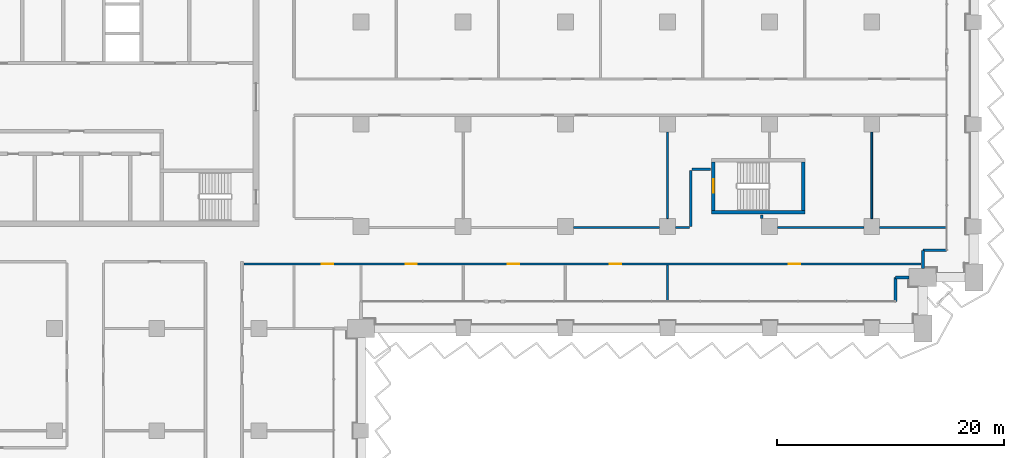
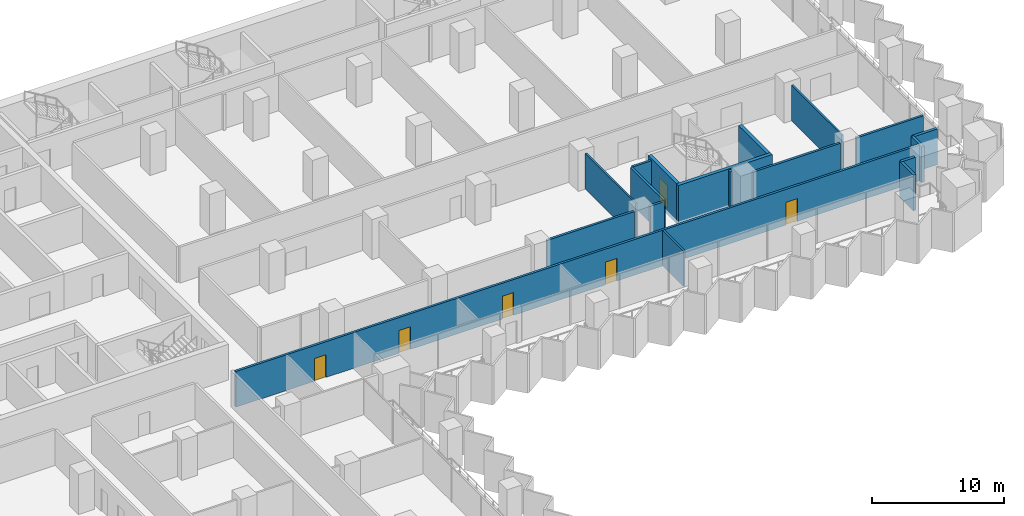
# One storey, part 13 of 29: 18 walls, 6 doors, 6 openings.
"""IFC4 building model written with IfcOpenShell, lengths in metres."""

from ifc_helpers import new_model, si_unit, direction, frame, frame_2d, origin, place, context, subcontext, project, spatial, rectangle, extrude, material, layer, layer_set, type_object, element, fill, save


model = new_model("IFC4")

# Units and contexts
model_context = context("Model", 3, precision=1e-05, world=origin(), true_north=direction((0.0, 1.0)))
body_context = subcontext(model_context, "Body", "Model", "MODEL_VIEW")
ifc_project = project(units=[si_unit("LENGTHUNIT", "METRE"), si_unit("AREAUNIT", "SQUARE_METRE"), si_unit("VOLUMEUNIT", "CUBIC_METRE"), si_unit("PLANEANGLEUNIT", "RADIAN"), si_unit("MASSUNIT", "GRAM", prefix="KILO")], contexts=[model_context])

# Site, building, storey
site_placement = place(None, origin())
site = spatial("IfcSite", under=ifc_project, at=site_placement, CompositionType="ELEMENT")
building_placement = place(site_placement, origin())
building = spatial("IfcBuilding", under=site, at=building_placement, Name="Hunhe Ridgeline Campus", CompositionType="ELEMENT")
storey_placement = place(building_placement, frame((0.0, 0.0, 54.300048828125)))
storey = spatial("IfcBuildingStorey", under=building, at=storey_placement, Name="L12", CompositionType="ELEMENT", Elevation=54.300048828125)

# Walls
ifc_material_1 = material(Name="Concrete C30", Category="concrete")
ifc_layer_1 = layer(ifc_material_1, 0.25)
ifc_layer_set_1 = layer_set([ifc_layer_1], Name="Corner return wall 250 Concrete C30")
wall_type_1 = type_object("IfcWallType", Name="Corner return wall 250 Concrete C30", PredefinedType="SOLIDWALL", material=ifc_layer_set_1)
wall_1_placement = place(storey_placement, frame((92.09912109375, 56.40087890625, 0.0), z_axis=(0.0, 0.0, 1.0), x_axis=(0.00011626555, 0.999999993241, 0.0)))
element("IfcWall", 1, at=wall_1_placement, inside=storey, type_object=wall_type_1, Name="Corner return wall 4", PredefinedType="SOLIDWALL", context=body_context, shape_type="SweptSolid", body=[
    extrude(rectangle(XDim=2.099853515625, YDim=0.25, at=frame_2d((1.0498046875, 0.0))), origin(), (0.0, 0.0, 1.0), 3.300048828125),
])
wall_2_placement = place(storey_placement, frame((92.099365234375, 58.500732421875, 0.0), z_axis=(0.0, 0.0, 1.0), x_axis=(1.0, 0.0, 0.0)))
element("IfcWall", 2, at=wall_2_placement, inside=storey, type_object=wall_type_1, Name="Corner return wall 5", PredefinedType="SOLIDWALL", context=body_context, shape_type="SweptSolid", body=[
    extrude(rectangle(XDim=1.20068359375, YDim=0.25, at=frame_2d((0.600341796875, 0.0))), origin(), (0.0, 0.0, 1.0), 3.300048828125),
])
wall_3_placement = place(storey_placement, frame((94.4990234375, 59.300048828125, 0.0), z_axis=(0.0, 0.0, 1.0), x_axis=(0.00015253203, 0.999999988367, 0.0)))
element("IfcWall", 3, at=wall_3_placement, inside=storey, type_object=wall_type_1, Name="Corner return wall 6", PredefinedType="SOLIDWALL", context=body_context, shape_type="SweptSolid", body=[
    extrude(rectangle(XDim=1.6005859375, YDim=0.25, at=frame_2d((0.80029296875, 0.0))), origin(), (0.0, 0.0, 1.0), 3.300048828125),
])
wall_4_placement = place(storey_placement, frame((94.499267578125, 60.900634765625, 0.0), z_axis=(0.0, 0.0, 1.0), x_axis=(0.999999993241, 0.00011626555, 0.0)))
element("IfcWall", 4, at=wall_4_placement, inside=storey, type_object=wall_type_1, Name="Corner return wall 7", PredefinedType="SOLIDWALL", context=body_context, shape_type="SweptSolid", body=[
    extrude(rectangle(XDim=2.099853515625, YDim=0.25, at=frame_2d((1.0498046875, 0.0))), origin(), (0.0, 0.0, 1.0), 3.300048828125),
])

# Wall, openings, doors
ifc_material_2 = material(Name="Gypsum board partition")
ifc_layer_2 = layer(ifc_material_2, 0.199951171875)
ifc_layer_set_2 = layer_set([ifc_layer_2], Name="Corridor partition 200 gypsum board on steel studs")
wall_type_2 = type_object("IfcWallType", Name="Corridor partition 200 gypsum board on steel studs", PredefinedType="PARTITIONING", material=ifc_layer_set_2)
wall_5_placement = place(storey_placement, frame((94.35400390625, 59.699951171875, 0.0), z_axis=(0.0, 0.0, 1.0), x_axis=(-1.0, 0.0, 0.0)))
wall_5 = element("IfcWall", 5, at=wall_5_placement, inside=storey, type_object=wall_type_2, Name="F-L12-wall-037", PredefinedType="PARTITIONING", context=body_context, shape_type="SweptSolid", body=[
    extrude(rectangle(XDim=59.682373046875, YDim=0.199951171875, at=frame_2d((29.84130859375, 0.0))), origin(), (0.0, 0.0, 1.0), 3.300048828125),
])
opening_1_placement = place(wall_5_placement, frame((51.8046875, 0.0, 0.0)))
opening_1 = element("IfcOpeningElement", 6, at=opening_1_placement, cuts=wall_5, Name="Opening RD1-023", PredefinedType="OPENING", context=body_context, shape_type="SweptSolid", body=[
    extrude(rectangle(XDim=1.0, YDim=2.10009765625, at=frame_2d((0.5, 1.050048828125))), frame((0.0, 0.10009765625, 0.0), z_axis=(0.0, -1.0, 0.0), x_axis=(1.0, 0.0, 0.0)), (0.0, 0.0, 1.0), 0.199951171875),
])
opening_2_placement = place(wall_5_placement, frame((44.4267578125, 0.0, 0.0)))
opening_2 = element("IfcOpeningElement", 7, at=opening_2_placement, cuts=wall_5, Name="Opening RD1-024", PredefinedType="OPENING", context=body_context, shape_type="SweptSolid", body=[
    extrude(rectangle(XDim=1.0, YDim=2.10009765625, at=frame_2d((0.5, 1.050048828125))), frame((0.0, 0.10009765625, 0.0), z_axis=(0.0, -1.0, 0.0), x_axis=(1.0, 0.0, 0.0)), (0.0, 0.0, 1.0), 0.199951171875),
])
opening_3_placement = place(wall_5_placement, frame((35.423095703125, 0.0, 0.0)))
opening_3 = element("IfcOpeningElement", 8, at=opening_3_placement, cuts=wall_5, Name="Opening RD1-025", PredefinedType="OPENING", context=body_context, shape_type="SweptSolid", body=[
    extrude(rectangle(XDim=1.0, YDim=2.10009765625, at=frame_2d((0.5, 1.050048828125))), frame((0.0, 0.10009765625, 0.0), z_axis=(0.0, -1.0, 0.0), x_axis=(1.0, 0.0, 0.0)), (0.0, 0.0, 1.0), 0.199951171875),
])
opening_4_placement = place(wall_5_placement, frame((26.419677734375, 0.0, 0.0)))
opening_4 = element("IfcOpeningElement", 9, at=opening_4_placement, cuts=wall_5, Name="Opening RD1-026", PredefinedType="OPENING", context=body_context, shape_type="SweptSolid", body=[
    extrude(rectangle(XDim=1.0, YDim=2.10009765625, at=frame_2d((0.5, 1.050048828125))), frame((0.0, 0.10009765625, 0.0), z_axis=(0.0, -1.0, 0.0), x_axis=(1.0, 0.0, 0.0)), (0.0, 0.0, 1.0), 0.199951171875),
])
opening_5_placement = place(wall_5_placement, frame((10.66357421875, 0.0, 0.0)))
opening_5 = element("IfcOpeningElement", 10, at=opening_5_placement, cuts=wall_5, Name="Opening RD1-027", PredefinedType="OPENING", context=body_context, shape_type="SweptSolid", body=[
    extrude(rectangle(XDim=1.0, YDim=2.10009765625, at=frame_2d((0.5, 1.050048828125))), frame((0.0, 0.10009765625, 0.0), z_axis=(0.0, -1.0, 0.0), x_axis=(1.0, 0.0, 0.0)), (0.0, 0.0, 1.0), 0.199951171875),
])
ifc_material_3 = material(Name="Timber door leaf", Category="wood")
door_type_1 = type_object("IfcDoorType", Name="Single fire door 1000x2100 timber FD60", OperationType="NOTDEFINED", PredefinedType="DOOR", material=ifc_material_3)
door_1_placement = place(opening_1_placement, origin())
door_1 = element("IfcDoor", 11, at=door_1_placement, inside=storey, type_object=door_type_1, Name="F-L12-door-023", OperationType="SINGLE_SWING_LEFT", OverallHeight=2.10009765625, OverallWidth=1.0, PredefinedType="DOOR", context=body_context, shape_type="SweptSolid", body=[
    extrude(rectangle(XDim=1.0, YDim=2.10009765625, at=frame_2d((0.5, 1.050048828125))), frame((0.0, 0.02490234375, 0.0), z_axis=(0.0, -1.0, 0.0), x_axis=(1.0, 0.0, 0.0)), (0.0, 0.0, 1.0), 0.050048828125),
])
fill(opening_1, door_1)
door_2_placement = place(opening_2_placement, origin())
door_2 = element("IfcDoor", 12, at=door_2_placement, inside=storey, type_object=door_type_1, Name="F-L12-door-024", OperationType="SINGLE_SWING_LEFT", OverallHeight=2.10009765625, OverallWidth=1.0, PredefinedType="DOOR", context=body_context, shape_type="SweptSolid", body=[
    extrude(rectangle(XDim=1.0, YDim=2.10009765625, at=frame_2d((0.5, 1.050048828125))), frame((0.0, 0.02490234375, 0.0), z_axis=(0.0, -1.0, 0.0), x_axis=(1.0, 0.0, 0.0)), (0.0, 0.0, 1.0), 0.050048828125),
])
fill(opening_2, door_2)
door_3_placement = place(opening_3_placement, origin())
door_3 = element("IfcDoor", 13, at=door_3_placement, inside=storey, type_object=door_type_1, Name="F-L12-door-025", OperationType="SINGLE_SWING_RIGHT", OverallHeight=2.10009765625, OverallWidth=1.0, PredefinedType="DOOR", context=body_context, shape_type="SweptSolid", body=[
    extrude(rectangle(XDim=1.0, YDim=2.10009765625, at=frame_2d((0.5, 1.050048828125))), frame((0.0, 0.02490234375, 0.0), z_axis=(0.0, -1.0, 0.0), x_axis=(1.0, 0.0, 0.0)), (0.0, 0.0, 1.0), 0.050048828125),
])
fill(opening_3, door_3)
door_4_placement = place(opening_4_placement, origin())
door_4 = element("IfcDoor", 14, at=door_4_placement, inside=storey, type_object=door_type_1, Name="F-L12-door-026", OperationType="SINGLE_SWING_LEFT", OverallHeight=2.10009765625, OverallWidth=1.0, PredefinedType="DOOR", context=body_context, shape_type="SweptSolid", body=[
    extrude(rectangle(XDim=1.0, YDim=2.10009765625, at=frame_2d((0.5, 1.050048828125))), frame((0.0, 0.02490234375, 0.0), z_axis=(0.0, -1.0, 0.0), x_axis=(1.0, 0.0, 0.0)), (0.0, 0.0, 1.0), 0.050048828125),
])
fill(opening_4, door_4)
door_5_placement = place(opening_5_placement, origin())
door_5 = element("IfcDoor", 15, at=door_5_placement, inside=storey, type_object=door_type_1, Name="F-L12-door-027", OperationType="SINGLE_SWING_LEFT", OverallHeight=2.10009765625, OverallWidth=1.0, PredefinedType="DOOR", context=body_context, shape_type="SweptSolid", body=[
    extrude(rectangle(XDim=1.0, YDim=2.10009765625, at=frame_2d((0.5, 1.050048828125))), frame((0.0, 0.02490234375, 0.0), z_axis=(0.0, -1.0, 0.0), x_axis=(1.0, 0.0, 0.0)), (0.0, 0.0, 1.0), 0.050048828125),
])
fill(opening_5, door_5)

# Walls
wall_6_placement = place(storey_placement, frame((63.699951171875, 62.89990234375, 0.0), z_axis=(0.0, 0.0, 1.0), x_axis=(1.0, 0.0, 0.0)))
element("IfcWall", 16, at=wall_6_placement, inside=storey, type_object=wall_type_2, Name="F-L12-wall-042", PredefinedType="PARTITIONING", context=body_context, shape_type="SweptSolid", body=[
    extrude(rectangle(XDim=7.60009765625, YDim=0.199951171875, at=frame_2d((3.800048828125, 0.0))), origin(), (0.0, 0.0, 1.0), 3.300048828125),
])
wall_7_placement = place(storey_placement, frame((72.699951171875, 62.89990234375, 0.0), z_axis=(0.0, 0.0, 1.0), x_axis=(1.0, 0.0, 0.0)))
element("IfcWall", 17, at=wall_7_placement, inside=storey, type_object=wall_type_2, Name="F-L12-wall-043", PredefinedType="PARTITIONING", context=body_context, shape_type="SweptSolid", body=[
    extrude(rectangle(XDim=1.25, YDim=0.199951171875, at=frame_2d((0.625, 0.0))), origin(), (0.0, 0.0, 1.0), 3.300048828125),
])
wall_8_placement = place(storey_placement, frame((81.699951171875, 62.89990234375, 0.0), z_axis=(0.0, 0.0, 1.0), x_axis=(1.0, 0.0, 0.0)))
element("IfcWall", 18, at=wall_8_placement, inside=storey, type_object=wall_type_2, Name="F-L12-wall-044", PredefinedType="PARTITIONING", context=body_context, shape_type="SweptSolid", body=[
    extrude(rectangle(XDim=7.60009765625, YDim=0.199951171875, at=frame_2d((3.800048828125, 0.0))), origin(), (0.0, 0.0, 1.0), 3.300048828125),
])
wall_9_placement = place(storey_placement, frame((90.699951171875, 62.89990234375, 0.0), z_axis=(0.0, 0.0, 1.0), x_axis=(1.0, 0.0, 0.0)))
element("IfcWall", 19, at=wall_9_placement, inside=storey, type_object=wall_type_2, Name="F-L12-wall-045", PredefinedType="PARTITIONING", context=body_context, shape_type="SweptSolid", body=[
    extrude(rectangle(XDim=5.844970703125, YDim=0.199951171875, at=frame_2d((2.92236328125, 0.0))), origin(), (0.0, 0.0, 1.0), 3.300048828125),
])
wall_10_placement = place(storey_placement, frame((74.14990234375, 68.050048828125, 0.0), z_axis=(0.0, 0.0, 1.0), x_axis=(1.0, 0.0, 0.0)))
element("IfcWall", 20, at=wall_10_placement, inside=storey, type_object=wall_type_2, Name="F-L12-wall-048", PredefinedType="PARTITIONING", context=body_context, shape_type="SweptSolid", body=[
    extrude(rectangle(XDim=1.64599609375, YDim=0.199951171875, at=frame_2d((0.822998046875, 0.0))), origin(), (0.0, 0.0, 1.0), 3.300048828125),
])
wall_11_placement = place(storey_placement, frame((74.050048828125, 63.0, 0.0), z_axis=(0.0, 0.0, 1.0), x_axis=(0.0, 1.0, 0.0)))
element("IfcWall", 21, at=wall_11_placement, inside=storey, type_object=wall_type_2, Name="F-L12-wall-084", PredefinedType="PARTITIONING", context=body_context, shape_type="SweptSolid", body=[
    extrude(rectangle(XDim=4.949951171875, YDim=0.199951171875, at=frame_2d((2.47509765625, 0.0))), origin(), (0.0, 0.0, 1.0), 3.300048828125),
])
wall_12_placement = place(storey_placement, frame((80.300048828125, 63.99609375, 0.0), z_axis=(0.0, 0.0, 1.0), x_axis=(0.0, -1.0, 0.0)))
element("IfcWall", 22, at=wall_12_placement, inside=storey, type_object=wall_type_2, Name="F-L12-wall-086", PredefinedType="PARTITIONING", context=body_context, shape_type="SweptSolid", body=[
    extrude(rectangle(XDim=0.296142578125, YDim=0.199951171875, at=frame_2d((0.14794921875, 0.0))), origin(), (0.0, 0.0, 1.0), 3.300048828125),
])
ifc_layer_3 = layer(ifc_material_2, 0.14990234375)
ifc_layer_set_3 = layer_set([ifc_layer_3], Name="Room partition 150 gypsum board on steel studs")
wall_type_3 = type_object("IfcWallType", Name="Room partition 150 gypsum board on steel studs", PredefinedType="PARTITIONING", material=ifc_layer_set_3)
wall_13_placement = place(storey_placement, frame((72.0, 59.60009765625, 0.0), z_axis=(0.0, 0.0, 1.0), x_axis=(0.0, -1.0, 0.0)))
element("IfcWall", 23, at=wall_13_placement, inside=storey, type_object=wall_type_3, Name="F-L12-wall-082", PredefinedType="PARTITIONING", context=body_context, shape_type="SweptSolid", body=[
    extrude(rectangle(XDim=3.145263671875, YDim=0.14990234375, at=frame_2d((1.57275390625, 0.0))), origin(), (0.0, 0.0, 1.0), 3.300048828125),
])
for number, where, z_axis, x_axis, name in (
    (24, (72.0, 71.300048828125, 0.0), (0.0, 0.0, 1.0), (0.0, -1.0, 0.0), "F-L12-wall-083"),
    (25, (90.0, 71.300048828125, 0.0), (0.0, 0.0, 1.0), (0.0, -1.0, 0.0), "F-L12-wall-091"),
):
    element("IfcWall", number, at=place(storey_placement, frame(where, z_axis=z_axis, x_axis=x_axis)), inside=storey, type_object=wall_type_3, Name=name, PredefinedType="PARTITIONING", context=body_context, shape_type="SweptSolid", body=[
        extrude(rectangle(XDim=7.60009765625, YDim=0.14990234375, at=frame_2d((3.800048828125, 0.0))), origin(), (0.0, 0.0, 1.0), 3.300048828125),
    ])
ifc_material_4 = material(Name="Concrete C80", Category="concrete")
ifc_layer_4 = layer(ifc_material_4, 0.300048828125)
ifc_layer_set_4 = layer_set([ifc_layer_4], Name="Stair wall 300 reinforced concrete C80")
wall_type_4 = type_object("IfcWallType", Name="Stair wall 300 reinforced concrete C80", PredefinedType="SOLIDWALL", material=ifc_layer_set_4)
wall_14_placement = place(storey_placement, frame((75.89990234375, 64.25, -0.400146484375), z_axis=(0.0, 0.0, 1.0), x_axis=(1.0, 0.0, 0.0)))
element("IfcWall", 26, at=wall_14_placement, inside=storey, type_object=wall_type_4, Name="L12 core wall 8", PredefinedType="SOLIDWALL", context=body_context, shape_type="SweptSolid", body=[
    extrude(rectangle(XDim=8.2001953125, YDim=0.300048828125, at=frame_2d((4.10009765625, 0.0))), origin(), (0.0, 0.0, 1.0), 3.7001953125),
])

# Wall, opening, door
wall_15_placement = place(storey_placement, frame((76.050048828125, 64.39990234375, -0.400146484375), z_axis=(0.0, 0.0, 1.0), x_axis=(0.0, 1.0, 0.0)))
wall_15 = element("IfcWall", 27, at=wall_15_placement, inside=storey, type_object=wall_type_4, Name="L12 core wall 71", PredefinedType="SOLIDWALL", context=body_context, shape_type="SweptSolid", body=[
    extrude(rectangle(XDim=4.300048828125, YDim=0.300048828125, at=frame_2d((2.14990234375, 0.0))), origin(), (0.0, 0.0, 1.0), 3.7001953125),
])
opening_6_placement = place(wall_15_placement, frame((1.550048828125, 0.0, 0.39990234375)))
opening_6 = element("IfcOpeningElement", 28, at=opening_6_placement, cuts=wall_15, Name="Opening CD24", PredefinedType="OPENING", context=body_context, shape_type="SweptSolid", body=[
    extrude(rectangle(XDim=1.199951171875, YDim=2.10009765625, at=frame_2d((0.60009765625, 1.050048828125))), frame((0.0, 0.14990234375, 0.0), z_axis=(0.0, -1.0, 0.0), x_axis=(1.0, 0.0, 0.0)), (0.0, 0.0, 1.0), 0.300048828125),
])
ifc_material_5 = material(Name="Hollow metal fire door leaf")
door_type_2 = type_object("IfcDoorType", Name="Stair door 1200x2100 FD60", OperationType="SINGLE_SWING_LEFT", PredefinedType="DOOR", material=ifc_material_5)
door_6_placement = place(opening_6_placement, origin())
door_6 = element("IfcDoor", 29, at=door_6_placement, inside=storey, type_object=door_type_2, Name="L12 door E5", OperationType="SINGLE_SWING_RIGHT", OverallHeight=2.10009765625, OverallWidth=1.199951171875, PredefinedType="DOOR", context=body_context, shape_type="SweptSolid", body=[
    extrude(rectangle(XDim=1.199951171875, YDim=2.10009765625, at=frame_2d((0.60009765625, 1.050048828125))), frame((0.0, 0.02490234375, 0.0), z_axis=(0.0, -1.0, 0.0), x_axis=(1.0, 0.0, 0.0)), (0.0, 0.0, 1.0), 0.050048828125),
])
fill(opening_6, door_6)

# Wall
wall_16_placement = place(storey_placement, frame((83.949951171875, 64.39990234375, -0.400146484375), z_axis=(0.0, 0.0, 1.0), x_axis=(0.0, 1.0, 0.0)))
element("IfcWall", 30, at=wall_16_placement, inside=storey, type_object=wall_type_4, Name="L12 core wall 72", PredefinedType="SOLIDWALL", context=body_context, shape_type="SweptSolid", body=[
    extrude(rectangle(XDim=4.300048828125, YDim=0.300048828125, at=frame_2d((2.14990234375, 0.0))), origin(), (0.0, 0.0, 1.0), 3.7001953125),
])

save(model, "model.ifc")
